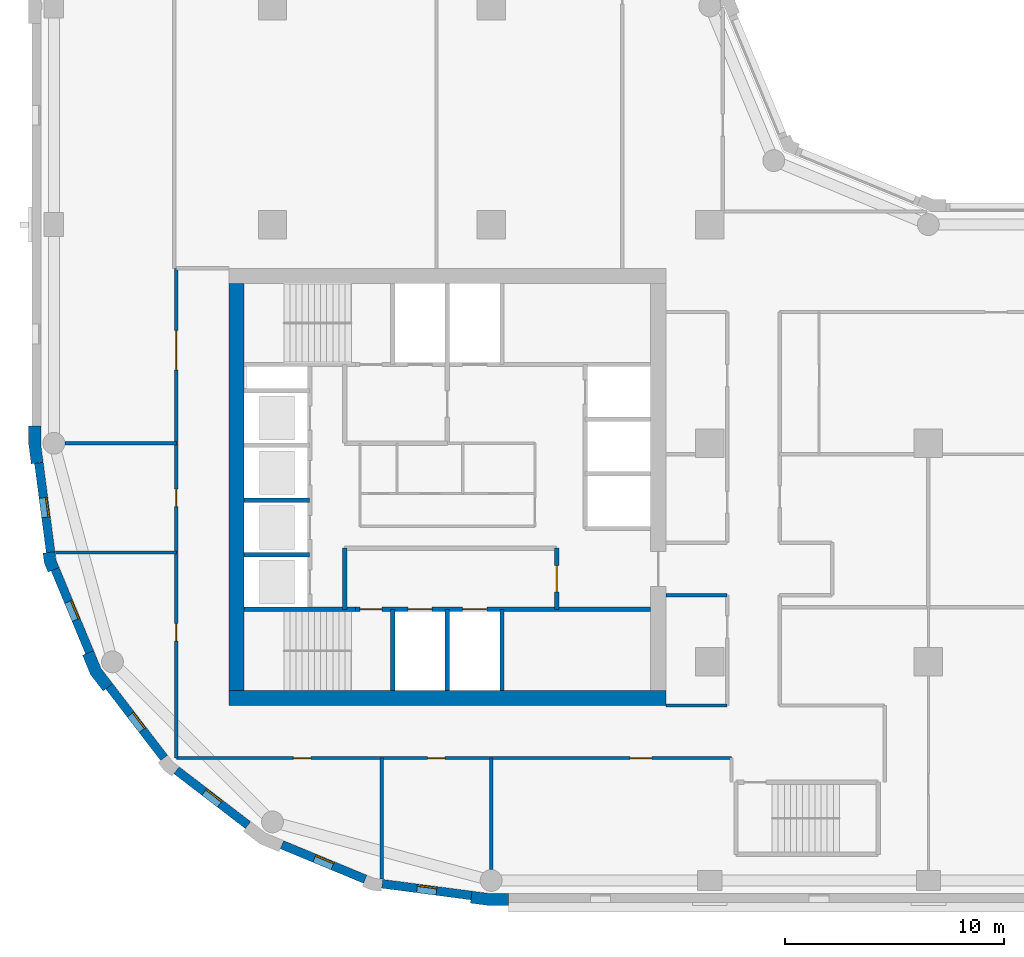
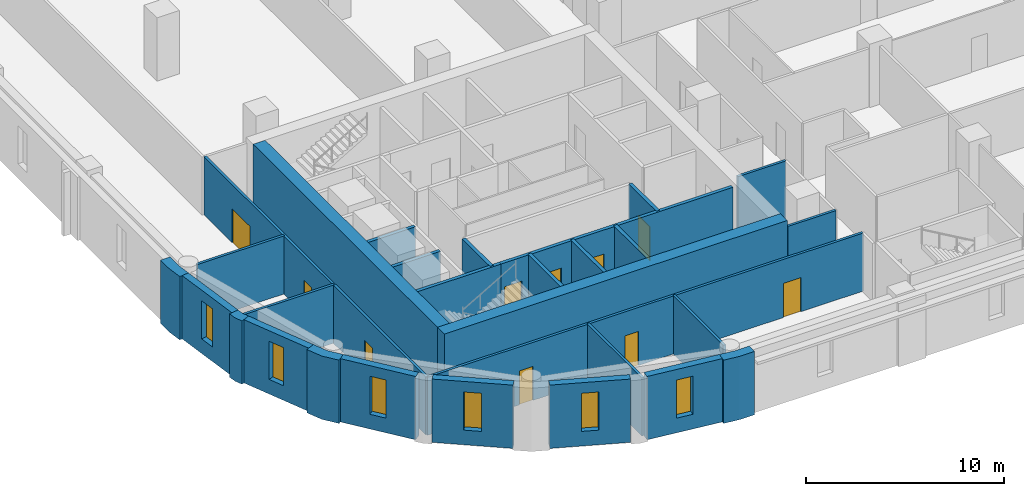
# One storey, part 2 of 9: 29 walls, 10 doors, 6 windows, 16 openings.
"""IFC4 building model written with IfcOpenShell, lengths in metres."""

from ifc_helpers import new_model, si_unit, direction, frame, frame_2d, origin, place, context, subcontext, project, spatial, polyline, rectangle, outline, extrude, material, layer, layer_set, type_object, element, fill, save


model = new_model("IFC4")

# Units and contexts
model_context = context("Model", 3, precision=1e-05, world=origin(), true_north=direction((0.0, 1.0)))
body_context = subcontext(model_context, "Body", "Model", "MODEL_VIEW")
ifc_project = project(units=[si_unit("LENGTHUNIT", "METRE"), si_unit("AREAUNIT", "SQUARE_METRE"), si_unit("VOLUMEUNIT", "CUBIC_METRE"), si_unit("PLANEANGLEUNIT", "RADIAN"), si_unit("MASSUNIT", "GRAM", prefix="KILO")], contexts=[model_context])

# Site, building, storey
site_placement = place(None, origin())
site = spatial("IfcSite", under=ifc_project, at=site_placement, CompositionType="ELEMENT")
building_placement = place(site_placement, origin())
building = spatial("IfcBuilding", under=site, at=building_placement, Name="Qaws Garden Tower", CompositionType="ELEMENT")
storey_placement = place(building_placement, frame((0.0, 0.0, 229.199951171875)))
storey = spatial("IfcBuildingStorey", under=building, at=storey_placement, Name="L56", CompositionType="ELEMENT", Elevation=229.199951171875)

# Wall, opening, window
ifc_material_1 = material(Name="Clay facing brick masonry", Category="masonry")
ifc_layer_1 = layer(ifc_material_1, 0.39990234375)
ifc_layer_set_1 = layer_set([ifc_layer_1], Name="Clay facing brick masonry")
wall_type_1 = type_object("IfcWallType", Name="Brick infill wall 400", PredefinedType="SOLIDWALL", material=ifc_layer_set_1)
wall_1_placement = place(storey_placement, frame((-0.688720703125, 19.102294921875, 0.0), z_axis=(0.0, 0.0, 1.0), x_axis=(0.130514280502, -0.991446429508, 0.0)))
wall_1 = element("IfcWall", 1, at=wall_1_placement, inside=storey, type_object=wall_type_1, Name="E-L56-infill-25", PredefinedType="SOLIDWALL", context=body_context, shape_type="SweptSolid", body=[
    extrude(rectangle(XDim=4.120849609375, YDim=0.39990234375, at=frame_2d((2.060546875, 0.0))), origin(), (0.0, 0.0, 1.0), 3.900146484375),
])
opening_1_placement = place(wall_1_placement, frame((1.610595703125, 0.0, 0.89990234375)))
opening_1 = element("IfcOpeningElement", 2, at=opening_1_placement, cuts=wall_1, Name="Opening W09", PredefinedType="OPENING", context=body_context, shape_type="SweptSolid", body=[
    extrude(rectangle(XDim=0.89990234375, YDim=2.35009765625, at=frame_2d((0.449951171875, 1.175048828125))), frame((0.0, 0.2099609375, 0.0), z_axis=(0.0, -1.0, 0.0), x_axis=(1.0, 0.0, 0.0)), (0.0, 0.0, 1.0), 0.419921875),
])
ifc_material_2 = material(Name="Aluminium framed window, clear glazing", Category="aluminium")
window_type = type_object("IfcWindowType", Name="Slit window 900 x 2350", PartitioningType="SINGLE_PANEL", PredefinedType="WINDOW", material=ifc_material_2)
window_1_placement = place(opening_1_placement, origin())
window_1 = element("IfcWindow", 3, at=window_1_placement, inside=storey, type_object=window_type, Name="E-L56-window-25-0", OverallHeight=2.35009765625, OverallWidth=0.89990234375, PartitioningType="SINGLE_PANEL", PredefinedType="WINDOW", context=body_context, shape_type="SweptSolid", body=[
    extrude(rectangle(XDim=0.89990234375, YDim=2.35009765625, at=frame_2d((0.449951171875, 1.175048828125))), frame((0.0, 0.159912109375, 0.0), z_axis=(0.0, -1.0, 0.0), x_axis=(1.0, 0.0, 0.0)), (0.0, 0.0, 1.0), 0.06005859375),
])
fill(opening_1, window_1)

wall_2_placement = place(storey_placement, frame((0.05712890625, 14.240234375, 0.0), z_axis=(0.0, 0.0, 1.0), x_axis=(0.382721546029, -0.923863744394, 0.0)))
wall_2 = element("IfcWall", 4, at=wall_2_placement, inside=storey, type_object=wall_type_1, Name="E-L56-infill-26", PredefinedType="SOLIDWALL", context=body_context, shape_type="SweptSolid", body=[
    extrude(rectangle(XDim=4.120849609375, YDim=0.39990234375, at=frame_2d((2.060546875, 0.0))), origin(), (0.0, 0.0, 1.0), 3.900146484375),
])
opening_2_placement = place(wall_2_placement, frame((1.610595703125, 0.0, 0.89990234375)))
opening_2 = element("IfcOpeningElement", 5, at=opening_2_placement, cuts=wall_2, Name="Opening W09", PredefinedType="OPENING", context=body_context, shape_type="SweptSolid", body=[
    extrude(rectangle(XDim=0.89990234375, YDim=2.35009765625, at=frame_2d((0.449951171875, 1.175048828125))), frame((0.0, 0.2099609375, 0.0), z_axis=(0.0, -1.0, 0.0), x_axis=(1.0, 0.0, 0.0)), (0.0, 0.0, 1.0), 0.419921875),
])
window_2_placement = place(opening_2_placement, origin())
window_2 = element("IfcWindow", 6, at=window_2_placement, inside=storey, type_object=window_type, Name="E-L56-window-26-0", OverallHeight=2.35009765625, OverallWidth=0.89990234375, PartitioningType="SINGLE_PANEL", PredefinedType="WINDOW", context=body_context, shape_type="SweptSolid", body=[
    extrude(rectangle(XDim=0.89990234375, YDim=2.35009765625, at=frame_2d((0.449951171875, 1.175048828125))), frame((0.0, 0.159912109375, 0.0), z_axis=(0.0, -1.0, 0.0), x_axis=(1.0, 0.0, 0.0)), (0.0, 0.0, 1.0), 0.06005859375),
])
fill(opening_2, window_2)

wall_3_placement = place(storey_placement, frame((2.53173828125, 8.87841796875, 0.0), z_axis=(0.0, 0.0, 1.0), x_axis=(0.608759824817, -0.793354571229, 0.0)))
wall_3 = element("IfcWall", 7, at=wall_3_placement, inside=storey, type_object=wall_type_1, Name="E-L56-infill-27", PredefinedType="SOLIDWALL", context=body_context, shape_type="SweptSolid", body=[
    extrude(rectangle(XDim=4.12109375, YDim=0.39990234375, at=frame_2d((2.060546875, 0.0))), origin(), (0.0, 0.0, 1.0), 3.900146484375),
])
opening_3_placement = place(wall_3_placement, frame((1.610595703125, 0.0, 0.89990234375)))
opening_3 = element("IfcOpeningElement", 8, at=opening_3_placement, cuts=wall_3, Name="Opening W09", PredefinedType="OPENING", context=body_context, shape_type="SweptSolid", body=[
    extrude(rectangle(XDim=0.89990234375, YDim=2.35009765625, at=frame_2d((0.449951171875, 1.175048828125))), frame((0.0, 0.2099609375, 0.0), z_axis=(0.0, -1.0, 0.0), x_axis=(1.0, 0.0, 0.0)), (0.0, 0.0, 1.0), 0.419921875),
])
window_3_placement = place(opening_3_placement, origin())
window_3 = element("IfcWindow", 9, at=window_3_placement, inside=storey, type_object=window_type, Name="E-L56-window-27-0", OverallHeight=2.35009765625, OverallWidth=0.89990234375, PartitioningType="SINGLE_PANEL", PredefinedType="WINDOW", context=body_context, shape_type="SweptSolid", body=[
    extrude(rectangle(XDim=0.89990234375, YDim=2.35009765625, at=frame_2d((0.449951171875, 1.175048828125))), frame((0.0, 0.159912109375, 0.0), z_axis=(0.0, -1.0, 0.0), x_axis=(1.0, 0.0, 0.0)), (0.0, 0.0, 1.0), 0.06005859375),
])
fill(opening_3, window_3)

wall_4_placement = place(storey_placement, frame((5.60888671875, 5.04052734375, 0.0), z_axis=(0.0, 0.0, 1.0), x_axis=(0.793354571229, -0.608759824817, 0.0)))
wall_4 = element("IfcWall", 10, at=wall_4_placement, inside=storey, type_object=wall_type_1, Name="E-L56-infill-28", PredefinedType="SOLIDWALL", context=body_context, shape_type="SweptSolid", body=[
    extrude(rectangle(XDim=4.12109375, YDim=0.39990234375, at=frame_2d((2.060546875, 0.0))), origin(), (0.0, 0.0, 1.0), 3.900146484375),
])
opening_4_placement = place(wall_4_placement, frame((1.610595703125, 0.0, 0.89990234375)))
opening_4 = element("IfcOpeningElement", 11, at=opening_4_placement, cuts=wall_4, Name="Opening W09", PredefinedType="OPENING", context=body_context, shape_type="SweptSolid", body=[
    extrude(rectangle(XDim=0.89990234375, YDim=2.35009765625, at=frame_2d((0.449951171875, 1.175048828125))), frame((0.0, 0.2099609375, 0.0), z_axis=(0.0, -1.0, 0.0), x_axis=(1.0, 0.0, 0.0)), (0.0, 0.0, 1.0), 0.419921875),
])
window_4_placement = place(opening_4_placement, origin())
window_4 = element("IfcWindow", 12, at=window_4_placement, inside=storey, type_object=window_type, Name="E-L56-window-28-0", OverallHeight=2.35009765625, OverallWidth=0.89990234375, PartitioningType="SINGLE_PANEL", PredefinedType="WINDOW", context=body_context, shape_type="SweptSolid", body=[
    extrude(rectangle(XDim=0.89990234375, YDim=2.35009765625, at=frame_2d((0.449951171875, 1.175048828125))), frame((0.0, 0.159912109375, 0.0), z_axis=(0.0, -1.0, 0.0), x_axis=(1.0, 0.0, 0.0)), (0.0, 0.0, 1.0), 0.06005859375),
])
fill(opening_4, window_4)

wall_5_placement = place(storey_placement, frame((10.43310546875, 1.63427734375, 0.0), z_axis=(0.0, 0.0, 1.0), x_axis=(0.923863744394, -0.382721546029, 0.0)))
wall_5 = element("IfcWall", 13, at=wall_5_placement, inside=storey, type_object=wall_type_1, Name="E-L56-infill-29", PredefinedType="SOLIDWALL", context=body_context, shape_type="SweptSolid", body=[
    extrude(rectangle(XDim=4.120849609375, YDim=0.39990234375, at=frame_2d((2.060546875, 0.0))), origin(), (0.0, 0.0, 1.0), 3.900146484375),
])
opening_5_placement = place(wall_5_placement, frame((1.610595703125, 0.0, 0.89990234375)))
opening_5 = element("IfcOpeningElement", 14, at=opening_5_placement, cuts=wall_5, Name="Opening W09", PredefinedType="OPENING", context=body_context, shape_type="SweptSolid", body=[
    extrude(rectangle(XDim=0.89990234375, YDim=2.35009765625, at=frame_2d((0.449951171875, 1.175048828125))), frame((0.0, 0.2099609375, 0.0), z_axis=(0.0, -1.0, 0.0), x_axis=(1.0, 0.0, 0.0)), (0.0, 0.0, 1.0), 0.419921875),
])
window_5_placement = place(opening_5_placement, origin())
window_5 = element("IfcWindow", 15, at=window_5_placement, inside=storey, type_object=window_type, Name="E-L56-window-29-0", OverallHeight=2.35009765625, OverallWidth=0.89990234375, PartitioningType="SINGLE_PANEL", PredefinedType="WINDOW", context=body_context, shape_type="SweptSolid", body=[
    extrude(rectangle(XDim=0.89990234375, YDim=2.35009765625, at=frame_2d((0.449951171875, 1.175048828125))), frame((0.0, 0.159912109375, 0.0), z_axis=(0.0, -1.0, 0.0), x_axis=(1.0, 0.0, 0.0)), (0.0, 0.0, 1.0), 0.06005859375),
])
fill(opening_5, window_5)

wall_6_placement = place(storey_placement, frame((15.0166015625, -0.15087890625, 0.0), z_axis=(0.0, 0.0, 1.0), x_axis=(0.991446429508, -0.130514280502, 0.0)))
wall_6 = element("IfcWall", 16, at=wall_6_placement, inside=storey, type_object=wall_type_1, Name="E-L56-infill-30", PredefinedType="SOLIDWALL", context=body_context, shape_type="SweptSolid", body=[
    extrude(rectangle(XDim=4.120849609375, YDim=0.39990234375, at=frame_2d((2.060546875, 0.0))), origin(), (0.0, 0.0, 1.0), 3.900146484375),
])
opening_6_placement = place(wall_6_placement, frame((1.610595703125, 0.0, 0.89990234375)))
opening_6 = element("IfcOpeningElement", 17, at=opening_6_placement, cuts=wall_6, Name="Opening W09", PredefinedType="OPENING", context=body_context, shape_type="SweptSolid", body=[
    extrude(rectangle(XDim=0.89990234375, YDim=2.35009765625, at=frame_2d((0.449951171875, 1.175048828125))), frame((0.0, 0.2099609375, 0.0), z_axis=(0.0, -1.0, 0.0), x_axis=(1.0, 0.0, 0.0)), (0.0, 0.0, 1.0), 0.419921875),
])
window_6_placement = place(opening_6_placement, origin())
window_6 = element("IfcWindow", 18, at=window_6_placement, inside=storey, type_object=window_type, Name="E-L56-window-30-0", OverallHeight=2.35009765625, OverallWidth=0.89990234375, PartitioningType="SINGLE_PANEL", PredefinedType="WINDOW", context=body_context, shape_type="SweptSolid", body=[
    extrude(rectangle(XDim=0.89990234375, YDim=2.35009765625, at=frame_2d((0.449951171875, 1.175048828125))), frame((0.0, 0.159912109375, 0.0), z_axis=(0.0, -1.0, 0.0), x_axis=(1.0, 0.0, 0.0)), (0.0, 0.0, 1.0), 0.06005859375),
])
fill(opening_6, window_6)

# Walls
ifc_material_3 = material(Name="Clay facing brick masonry", Category="masonry")
ifc_layer_2 = layer(ifc_material_3, 0.550048828125)
ifc_layer_set_2 = layer_set([ifc_layer_2], Name="Clay facing brick masonry")
wall_type_2 = type_object("IfcWallType", Name="Brick kink pier 550 x 600", PredefinedType="SOLIDWALL", material=ifc_layer_set_2)
placement = place(storey_placement, origin())
element("IfcWall", 19, at=placement, inside=storey, type_object=wall_type_2, Name="E-L56-pier-26", PredefinedType="SOLIDWALL", context=body_context, shape_type="SweptSolid", body=[
    extrude(outline(polyline([(-0.34912109375, 14.990478515625), (-0.497802734375, 14.970947265625), (-0.43896484375, 14.5234375), (-0.26611328125, 14.1064453125), (-0.127685546875, 14.163818359375), (0.241943359375, 14.31689453125), (0.096923828125, 14.6669921875), (0.04736328125, 15.042724609375), (-0.34912109375, 14.990478515625)])), origin(), (0.0, 0.0, 1.0), 3.900146484375),
])
ifc_material_4 = material(Name="Clay facing brick masonry", Category="masonry")
ifc_layer_3 = layer(ifc_material_4, 0.550048828125)
ifc_layer_set_3 = layer_set([ifc_layer_3], Name="Clay facing brick masonry")
wall_type_3 = type_object("IfcWallType", Name="Brick pier 550 x 1600", PredefinedType="SOLIDWALL", material=ifc_layer_set_3)
element("IfcWall", 20, at=placement, inside=storey, type_object=wall_type_3, Name="E-L56-pier-00", PredefinedType="SOLIDWALL", context=body_context, shape_type="SweptSolid", body=[
    extrude(outline(polyline([(19.076416015625, -0.886962890625), (19.056640625, -1.03564453125), (19.924560546875, -1.14990234375), (20.800048828125, -1.14990234375), (20.800048828125, -1.0), (20.800048828125, -0.60009765625), (19.960693359375, -0.60009765625), (19.12841796875, -0.490478515625), (19.076416015625, -0.886962890625)])), origin(), (0.0, 0.0, 1.0), 3.900146484375),
])
element("IfcWall", 21, at=placement, inside=storey, type_object=wall_type_3, Name="E-L56-pier-25", PredefinedType="SOLIDWALL", context=body_context, shape_type="SweptSolid", body=[
    extrude(outline(polyline([(-1.0, 20.800048828125), (-1.14990234375, 20.800048828125), (-1.14990234375, 19.924560546875), (-1.03564453125, 19.056640625), (-0.886962890625, 19.076416015625), (-0.490478515625, 19.12841796875), (-0.60009765625, 19.960693359375), (-0.60009765625, 20.800048828125), (-1.0, 20.800048828125)])), origin(), (0.0, 0.0, 1.0), 3.900146484375),
])
element("IfcWall", 22, at=placement, inside=storey, type_object=wall_type_3, Name="E-L56-pier-27", PredefinedType="SOLIDWALL", context=body_context, shape_type="SweptSolid", body=[
    extrude(outline(polyline([(1.449462890625, 10.3564453125), (1.310791015625, 10.299072265625), (1.675048828125, 9.419921875), (2.254150390625, 8.665283203125), (2.373046875, 8.756591796875), (2.6904296875, 9.0), (2.1552734375, 9.697509765625), (1.819091796875, 10.509521484375), (1.449462890625, 10.3564453125)])), origin(), (0.0, 0.0, 1.0), 3.900146484375),
])
ifc_material_5 = material(Name="Concrete C70", Category="concrete")
ifc_layer_4 = layer(ifc_material_5, 0.199951171875)
ifc_layer_set_4 = layer_set([ifc_layer_4], Name="Concrete C70")
wall_type_4 = type_object("IfcWallType", Name="Core shaft wall 200 C70", PredefinedType="SHEAR", material=ifc_layer_set_4)
wall_11_placement = place(storey_placement, frame((8.699951171875, 12.39990234375, 0.0), z_axis=(0.0, 0.0, 1.0), x_axis=(1.0, 0.0, 0.0)))
element("IfcWall", 23, at=wall_11_placement, inside=storey, type_object=wall_type_4, Name="Shaft wall", PredefinedType="SHEAR", context=body_context, shape_type="SweptSolid", body=[
    extrude(rectangle(XDim=5.10009765625, YDim=0.199951171875, at=frame_2d((2.550048828125, 0.0))), origin(), (0.0, 0.0, 1.0), 3.580078125),
])

# Wall, openings, doors
wall_12_placement = place(storey_placement, frame((13.800048828125, 12.39990234375, 0.0), z_axis=(0.0, 0.0, 1.0), x_axis=(1.0, 0.0, 0.0)))
wall_12 = element("IfcWall", 24, at=wall_12_placement, inside=storey, type_object=wall_type_4, Name="Shaft wall", PredefinedType="SHEAR", context=body_context, shape_type="SweptSolid", body=[
    extrude(rectangle(XDim=13.5, YDim=0.199951171875, at=frame_2d((6.75, 0.0))), origin(), (0.0, 0.0, 1.0), 3.580078125),
])
opening_7_placement = place(wall_12_placement, frame((2.39990234375, 0.0, 0.0)))
opening_7 = element("IfcOpeningElement", 25, at=opening_7_placement, cuts=wall_12, Name="Opening LD06", PredefinedType="OPENING", context=body_context, shape_type="SweptSolid", body=[
    extrude(rectangle(XDim=1.10009765625, YDim=2.10009765625, at=frame_2d((0.550048828125, 1.050048828125))), frame((0.0, 0.10986328125, 0.0), z_axis=(0.0, -1.0, 0.0), x_axis=(1.0, 0.0, 0.0)), (0.0, 0.0, 1.0), 0.219970703125),
])
opening_8_placement = place(wall_12_placement, frame((4.89990234375, 0.0, 0.0)))
opening_8 = element("IfcOpeningElement", 26, at=opening_8_placement, cuts=wall_12, Name="Opening LD07", PredefinedType="OPENING", context=body_context, shape_type="SweptSolid", body=[
    extrude(rectangle(XDim=1.10009765625, YDim=2.10009765625, at=frame_2d((0.550048828125, 1.050048828125))), frame((0.0, 0.10986328125, 0.0), z_axis=(0.0, -1.0, 0.0), x_axis=(1.0, 0.0, 0.0)), (0.0, 0.0, 1.0), 0.219970703125),
])
opening_9_placement = place(wall_12_placement, frame((0.199951171875, 0.0, 0.0)))
opening_9 = element("IfcOpeningElement", 27, at=opening_9_placement, cuts=wall_12, Name="Opening SD10", PredefinedType="OPENING", context=body_context, shape_type="SweptSolid", body=[
    extrude(rectangle(XDim=1.0, YDim=2.10009765625, at=frame_2d((0.5, 1.050048828125))), frame((0.0, 0.10986328125, 0.0), z_axis=(0.0, -1.0, 0.0), x_axis=(1.0, 0.0, 0.0)), (0.0, 0.0, 1.0), 0.219970703125),
])
ifc_material_6 = material(Name="Steel S235", Category="steel")
door_type_1 = type_object("IfcDoorType", Name="Landing door 1100x2100", OperationType="DOUBLE_DOOR_SLIDING", PredefinedType="DOOR", material=ifc_material_6)
door_1_placement = place(opening_7_placement, origin())
door_1 = element("IfcDoor", 28, at=door_1_placement, inside=storey, type_object=door_type_1, Name="Lift FF1 landing door", OperationType="DOUBLE_DOOR_SLIDING", OverallHeight=2.10009765625, OverallWidth=1.10009765625, PredefinedType="DOOR", context=body_context, shape_type="SweptSolid", body=[
    extrude(rectangle(XDim=1.10009765625, YDim=2.10009765625, at=frame_2d((0.550048828125, 1.050048828125))), frame((0.0, 0.02490234375, 0.0), z_axis=(0.0, -1.0, 0.0), x_axis=(1.0, 0.0, 0.0)), (0.0, 0.0, 1.0), 0.050048828125),
])
fill(opening_7, door_1)
door_2_placement = place(opening_8_placement, origin())
door_2 = element("IfcDoor", 29, at=door_2_placement, inside=storey, type_object=door_type_1, Name="Lift FF2 landing door", OperationType="DOUBLE_DOOR_SLIDING", OverallHeight=2.10009765625, OverallWidth=1.10009765625, PredefinedType="DOOR", context=body_context, shape_type="SweptSolid", body=[
    extrude(rectangle(XDim=1.10009765625, YDim=2.10009765625, at=frame_2d((0.550048828125, 1.050048828125))), frame((0.0, 0.02490234375, 0.0), z_axis=(0.0, -1.0, 0.0), x_axis=(1.0, 0.0, 0.0)), (0.0, 0.0, 1.0), 0.050048828125),
])
fill(opening_8, door_2)
ifc_material_7 = material(Name="Steel S235", Category="steel")
door_type_2 = type_object("IfcDoorType", Name="Stair door 1000x2100", OperationType="SINGLE_SWING_RIGHT", PredefinedType="DOOR", material=ifc_material_7)
door_3_placement = place(opening_9_placement, frame((1.0, 0.0, 0.0), z_axis=(0.0, 0.0, 1.0), x_axis=(-1.0, 0.0, 0.0)))
door_3 = element("IfcDoor", 30, at=door_3_placement, inside=storey, type_object=door_type_2, Name="Stair 1 door", OperationType="SINGLE_SWING_LEFT", OverallHeight=2.10009765625, OverallWidth=1.0, PredefinedType="DOOR", context=body_context, shape_type="SweptSolid", body=[
    extrude(rectangle(XDim=1.0, YDim=2.10009765625, at=frame_2d((0.5, 1.050048828125))), frame((0.0, 0.02490234375, 0.0), z_axis=(0.0, -1.0, 0.0), x_axis=(1.0, 0.0, 0.0)), (0.0, 0.0, 1.0), 0.050048828125),
])
fill(opening_9, door_3)

# Walls
for number, where, z_axis, x_axis, name in (
    (31, (8.699951171875, 14.89990234375, 0.0), (0.0, 0.0, 1.0), (1.0, 0.0, 0.0), "Shaft wall"),
    (32, (8.699951171875, 17.39990234375, 0.0), (0.0, 0.0, 1.0), (1.0, 0.0, 0.0), "Shaft wall"),
):
    element("IfcWall", number, at=place(storey_placement, frame(where, z_axis=z_axis, x_axis=x_axis)), inside=storey, type_object=wall_type_4, Name=name, PredefinedType="SHEAR", context=body_context, shape_type="SweptSolid", body=[
        extrude(rectangle(XDim=3.0, YDim=0.199951171875, at=frame_2d((1.5, 0.0))), origin(), (0.0, 0.0, 1.0), 3.580078125),
    ])
wall_13_placement = place(storey_placement, frame((13.300048828125, 12.39990234375, 0.0), z_axis=(0.0, 0.0, 1.0), x_axis=(0.0, 1.0, 0.0)))
element("IfcWall", 33, at=wall_13_placement, inside=storey, type_object=wall_type_4, Name="Shaft wall", PredefinedType="SHEAR", context=body_context, shape_type="SweptSolid", body=[
    extrude(rectangle(XDim=2.800048828125, YDim=0.199951171875, at=frame_2d((1.39990234375, 0.0))), origin(), (0.0, 0.0, 1.0), 3.580078125),
])
for number, where, z_axis, x_axis, name in (
    (34, (15.5, 8.699951171875, 0.0), (0.0, 0.0, 1.0), (0.0, 1.0, 0.0), "Shaft wall"),
    (35, (18.0, 8.699951171875, 0.0), (0.0, 0.0, 1.0), (0.0, 1.0, 0.0), "Shaft wall"),
    (36, (20.5, 8.699951171875, 0.0), (0.0, 0.0, 1.0), (0.0, 1.0, 0.0), "Shaft wall"),
):
    element("IfcWall", number, at=place(storey_placement, frame(where, z_axis=z_axis, x_axis=x_axis)), inside=storey, type_object=wall_type_4, Name=name, PredefinedType="SHEAR", context=body_context, shape_type="SweptSolid", body=[
        extrude(rectangle(XDim=3.699951171875, YDim=0.199951171875, at=frame_2d((1.85009765625, 0.0))), origin(), (0.0, 0.0, 1.0), 3.580078125),
    ])

# Wall, opening, door
wall_14_placement = place(storey_placement, frame((23.0, 12.39990234375, 0.0), z_axis=(0.0, 0.0, 1.0), x_axis=(0.0, 1.0, 0.0)))
wall_14 = element("IfcWall", 37, at=wall_14_placement, inside=storey, type_object=wall_type_4, Name="Shaft wall", PredefinedType="SHEAR", context=body_context, shape_type="SweptSolid", body=[
    extrude(rectangle(XDim=2.800048828125, YDim=0.199951171875, at=frame_2d((1.39990234375, 0.0))), origin(), (0.0, 0.0, 1.0), 3.580078125),
])
opening_10_placement = place(wall_14_placement, frame((0.800048828125, 0.0, 0.0)))
opening_10 = element("IfcOpeningElement", 38, at=opening_10_placement, cuts=wall_14, Name="Opening FD15", PredefinedType="OPENING", context=body_context, shape_type="SweptSolid", body=[
    extrude(rectangle(XDim=1.199951171875, YDim=2.10009765625, at=frame_2d((0.60009765625, 1.050048828125))), frame((0.0, 0.10986328125, 0.0), z_axis=(0.0, -1.0, 0.0), x_axis=(1.0, 0.0, 0.0)), (0.0, 0.0, 1.0), 0.219970703125),
])
ifc_material_8 = material(Name="Steel S235", Category="steel")
door_type_3 = type_object("IfcDoorType", Name="Lobby door 1200x2100", OperationType="DOUBLE_DOOR_SINGLE_SWING", PredefinedType="DOOR", material=ifc_material_8)
door_4_placement = place(opening_10_placement, origin())
door_4 = element("IfcDoor", 39, at=door_4_placement, inside=storey, type_object=door_type_3, Name="Fire-fighting lobby door", OperationType="DOUBLE_DOOR_SINGLE_SWING", OverallHeight=2.10009765625, OverallWidth=1.199951171875, PredefinedType="DOOR", context=body_context, shape_type="SweptSolid", body=[
    extrude(rectangle(XDim=1.199951171875, YDim=2.10009765625, at=frame_2d((0.60009765625, 1.050048828125))), frame((0.0, 0.02490234375, 0.0), z_axis=(0.0, -1.0, 0.0), x_axis=(1.0, 0.0, 0.0)), (0.0, 0.0, 1.0), 0.050048828125),
])
fill(opening_10, door_4)

# Walls
ifc_material_9 = material(Name="Concrete C70", Category="concrete")
ifc_layer_5 = layer(ifc_material_9, 0.699951171875)
ifc_layer_set_5 = layer_set([ifc_layer_5], Name="Concrete C70")
wall_type_5 = type_object("IfcWallType", Name="Core wall 700 C70", PredefinedType="SHEAR", material=ifc_layer_set_5)
wall_15_placement = place(storey_placement, frame((8.0, 8.35009765625, 0.0), z_axis=(0.0, 0.0, 1.0), x_axis=(1.0, 0.0, 0.0)))
element("IfcWall", 40, at=wall_15_placement, inside=storey, type_object=wall_type_5, Name="Core wall L56 south", PredefinedType="SHEAR", context=body_context, shape_type="SweptSolid", body=[
    extrude(rectangle(XDim=20.0, YDim=0.699951171875, at=frame_2d((10.0, 0.0))), origin(), (0.0, 0.0, 1.0), 3.900146484375),
])
wall_16_placement = place(storey_placement, frame((8.35009765625, 27.300048828125, 0.0), z_axis=(0.0, 0.0, 1.0), x_axis=(0.0, -1.0, 0.0)))
element("IfcWall", 41, at=wall_16_placement, inside=storey, type_object=wall_type_5, Name="Core wall L56 west", PredefinedType="SHEAR", context=body_context, shape_type="SweptSolid", body=[
    extrude(rectangle(XDim=18.60009765625, YDim=0.699951171875, at=frame_2d((9.300048828125, 0.0))), origin(), (0.0, 0.0, 1.0), 3.900146484375),
])

# Wall, openings, doors
ifc_material_10 = material(Name="Gypsum board partition")
ifc_layer_6 = layer(ifc_material_10, 0.14990234375)
ifc_layer_set_6 = layer_set([ifc_layer_6], Name="Gypsum board partition")
wall_type_6 = type_object("IfcWallType", Name="PARTITION 150 EI 60", PredefinedType="PARTITIONING", material=ifc_layer_set_6)
wall_17_placement = place(storey_placement, frame((5.60009765625, 5.60009765625, 0.0), z_axis=(0.0, 0.0, 1.0), x_axis=(0.0, 1.0, 0.0)))
wall_17 = element("IfcWall", 42, at=wall_17_placement, inside=storey, type_object=wall_type_6, Name="O-L56-wall-010", PredefinedType="PARTITIONING", context=body_context, shape_type="SweptSolid", body=[
    extrude(rectangle(XDim=22.39990234375, YDim=0.14990234375, at=frame_2d((11.199951171875, 0.0))), origin(), (0.0, 0.0, 1.0), 3.580078125),
])
opening_11_placement = place(wall_17_placement, frame((5.35009765625, 0.0, 0.0)))
opening_11 = element("IfcOpeningElement", 43, at=opening_11_placement, cuts=wall_17, Name="Opening B901", PredefinedType="OPENING", context=body_context, shape_type="SweptSolid", body=[
    extrude(rectangle(XDim=0.800048828125, YDim=2.10009765625, at=frame_2d((0.39990234375, 1.050048828125))), frame((0.0, 0.0849609375, 0.0), z_axis=(0.0, -1.0, 0.0), x_axis=(1.0, 0.0, 0.0)), (0.0, 0.0, 1.0), 0.169921875),
])
opening_12_placement = place(wall_17_placement, frame((11.5, 0.0, 0.0)))
opening_12 = element("IfcOpeningElement", 44, at=opening_12_placement, cuts=wall_17, Name="Opening B902", PredefinedType="OPENING", context=body_context, shape_type="SweptSolid", body=[
    extrude(rectangle(XDim=0.800048828125, YDim=2.10009765625, at=frame_2d((0.39990234375, 1.050048828125))), frame((0.0, 0.0849609375, 0.0), z_axis=(0.0, -1.0, 0.0), x_axis=(1.0, 0.0, 0.0)), (0.0, 0.0, 1.0), 0.169921875),
])
opening_13_placement = place(wall_17_placement, frame((17.75, 0.0, 0.0)))
opening_13 = element("IfcOpeningElement", 45, at=opening_13_placement, cuts=wall_17, Name="Opening B907", PredefinedType="OPENING", context=body_context, shape_type="SweptSolid", body=[
    extrude(rectangle(XDim=1.800048828125, YDim=2.10009765625, at=frame_2d((0.89990234375, 1.050048828125))), frame((0.0, 0.0849609375, 0.0), z_axis=(0.0, -1.0, 0.0), x_axis=(1.0, 0.0, 0.0)), (0.0, 0.0, 1.0), 0.169921875),
])
ifc_material_11 = material(Name="Timber door leaf", Category="wood")
door_type_4 = type_object("IfcDoorType", Name="DOUBLE DOOR 1800 X 2100", OperationType="DOUBLE_DOOR_SINGLE_SWING", PredefinedType="DOOR", material=ifc_material_11)
door_5_placement = place(opening_13_placement, origin())
door_5 = element("IfcDoor", 46, at=door_5_placement, inside=storey, type_object=door_type_4, Name="O-L56-door-007", OperationType="DOUBLE_DOOR_SINGLE_SWING", OverallHeight=2.10009765625, OverallWidth=1.800048828125, PredefinedType="DOOR", context=body_context, shape_type="SweptSolid", body=[
    extrude(rectangle(XDim=1.800048828125, YDim=2.10009765625, at=frame_2d((0.89990234375, 1.050048828125))), frame((0.0, 0.02490234375, 0.0), z_axis=(0.0, -1.0, 0.0), x_axis=(1.0, 0.0, 0.0)), (0.0, 0.0, 1.0), 0.050048828125),
])
fill(opening_13, door_5)
ifc_material_12 = material(Name="Timber door leaf", Category="wood")
door_type_5 = type_object("IfcDoorType", Name="STORE DOOR 800 X 2100", OperationType="SINGLE_SWING_LEFT", PredefinedType="DOOR", material=ifc_material_12)
door_6_placement = place(opening_11_placement, origin())
door_6 = element("IfcDoor", 47, at=door_6_placement, inside=storey, type_object=door_type_5, Name="O-L56-door-001", OperationType="SINGLE_SWING_RIGHT", OverallHeight=2.10009765625, OverallWidth=0.800048828125, PredefinedType="DOOR", context=body_context, shape_type="SweptSolid", body=[
    extrude(rectangle(XDim=0.800048828125, YDim=2.10009765625, at=frame_2d((0.39990234375, 1.050048828125))), frame((0.0, 0.02490234375, 0.0), z_axis=(0.0, -1.0, 0.0), x_axis=(1.0, 0.0, 0.0)), (0.0, 0.0, 1.0), 0.050048828125),
])
fill(opening_11, door_6)
door_7_placement = place(opening_12_placement, origin())
door_7 = element("IfcDoor", 48, at=door_7_placement, inside=storey, type_object=door_type_5, Name="O-L56-door-002", OperationType="SINGLE_SWING_RIGHT", OverallHeight=2.10009765625, OverallWidth=0.800048828125, PredefinedType="DOOR", context=body_context, shape_type="SweptSolid", body=[
    extrude(rectangle(XDim=0.800048828125, YDim=2.10009765625, at=frame_2d((0.39990234375, 1.050048828125))), frame((0.0, 0.02490234375, 0.0), z_axis=(0.0, -1.0, 0.0), x_axis=(1.0, 0.0, 0.0)), (0.0, 0.0, 1.0), 0.050048828125),
])
fill(opening_12, door_7)

# Walls
wall_18_placement = place(storey_placement, frame((15.0, 0.06298828125, 0.0), z_axis=(0.0, 0.0, 1.0), x_axis=(0.0, 1.0, 0.0)))
element("IfcWall", 49, at=wall_18_placement, inside=storey, type_object=wall_type_6, Name="O-L56-wall-013", PredefinedType="PARTITIONING", context=body_context, shape_type="SweptSolid", body=[
    extrude(rectangle(XDim=5.537109375, YDim=0.14990234375, at=frame_2d((2.7685546875, 0.0))), origin(), (0.0, 0.0, 1.0), 3.580078125),
])
wall_19_placement = place(storey_placement, frame((20.0, 0.5, 0.0), z_axis=(0.0, 0.0, 1.0), x_axis=(0.0, 1.0, 0.0)))
element("IfcWall", 50, at=wall_19_placement, inside=storey, type_object=wall_type_6, Name="O-L56-wall-016", PredefinedType="PARTITIONING", context=body_context, shape_type="SweptSolid", body=[
    extrude(rectangle(XDim=5.10009765625, YDim=0.14990234375, at=frame_2d((2.550048828125, 0.0))), origin(), (0.0, 0.0, 1.0), 3.580078125),
])

# Wall, openings, doors
wall_20_placement = place(storey_placement, frame((5.60009765625, 5.60009765625, 0.0), z_axis=(0.0, 0.0, 1.0), x_axis=(1.0, 0.0, 0.0)))
wall_20 = element("IfcWall", 51, at=wall_20_placement, inside=storey, type_object=wall_type_6, Name="O-L56-wall-030", PredefinedType="PARTITIONING", context=body_context, shape_type="SweptSolid", body=[
    extrude(rectangle(XDim=25.39990234375, YDim=0.14990234375, at=frame_2d((12.699951171875, 0.0))), origin(), (0.0, 0.0, 1.0), 3.580078125),
])
opening_14_placement = place(wall_20_placement, frame((20.75, 0.0, 0.0)))
opening_14 = element("IfcOpeningElement", 52, at=opening_14_placement, cuts=wall_20, Name="Opening B903", PredefinedType="OPENING", context=body_context, shape_type="SweptSolid", body=[
    extrude(rectangle(XDim=1.0, YDim=2.10009765625, at=frame_2d((0.5, 1.050048828125))), frame((0.0, 0.0849609375, 0.0), z_axis=(0.0, -1.0, 0.0), x_axis=(1.0, 0.0, 0.0)), (0.0, 0.0, 1.0), 0.169921875),
])
opening_15_placement = place(wall_20_placement, frame((5.35009765625, 0.0, 0.0)))
opening_15 = element("IfcOpeningElement", 53, at=opening_15_placement, cuts=wall_20, Name="Opening B909", PredefinedType="OPENING", context=body_context, shape_type="SweptSolid", body=[
    extrude(rectangle(XDim=0.800048828125, YDim=2.10009765625, at=frame_2d((0.39990234375, 1.050048828125))), frame((0.0, 0.0849609375, 0.0), z_axis=(0.0, -1.0, 0.0), x_axis=(1.0, 0.0, 0.0)), (0.0, 0.0, 1.0), 0.169921875),
])
opening_16_placement = place(wall_20_placement, frame((11.5, 0.0, 0.0)))
opening_16 = element("IfcOpeningElement", 54, at=opening_16_placement, cuts=wall_20, Name="Opening B913", PredefinedType="OPENING", context=body_context, shape_type="SweptSolid", body=[
    extrude(rectangle(XDim=0.800048828125, YDim=2.10009765625, at=frame_2d((0.39990234375, 1.050048828125))), frame((0.0, 0.0849609375, 0.0), z_axis=(0.0, -1.0, 0.0), x_axis=(1.0, 0.0, 0.0)), (0.0, 0.0, 1.0), 0.169921875),
])
door_8_placement = place(opening_15_placement, frame((0.800048828125, 0.0, 0.0), z_axis=(0.0, 0.0, 1.0), x_axis=(-1.0, 0.0, 0.0)))
door_8 = element("IfcDoor", 55, at=door_8_placement, inside=storey, type_object=door_type_5, Name="O-L56-door-009", OperationType="SINGLE_SWING_LEFT", OverallHeight=2.10009765625, OverallWidth=0.800048828125, PredefinedType="DOOR", context=body_context, shape_type="SweptSolid", body=[
    extrude(rectangle(XDim=0.800048828125, YDim=2.10009765625, at=frame_2d((0.39990234375, 1.050048828125))), frame((0.0, 0.02490234375, 0.0), z_axis=(0.0, -1.0, 0.0), x_axis=(1.0, 0.0, 0.0)), (0.0, 0.0, 1.0), 0.050048828125),
])
fill(opening_15, door_8)
door_9_placement = place(opening_16_placement, frame((0.800048828125, 0.0, 0.0), z_axis=(0.0, 0.0, 1.0), x_axis=(-1.0, 0.0, 0.0)))
door_9 = element("IfcDoor", 56, at=door_9_placement, inside=storey, type_object=door_type_5, Name="O-L56-door-013", OperationType="SINGLE_SWING_LEFT", OverallHeight=2.10009765625, OverallWidth=0.800048828125, PredefinedType="DOOR", context=body_context, shape_type="SweptSolid", body=[
    extrude(rectangle(XDim=0.800048828125, YDim=2.10009765625, at=frame_2d((0.39990234375, 1.050048828125))), frame((0.0, 0.02490234375, 0.0), z_axis=(0.0, -1.0, 0.0), x_axis=(1.0, 0.0, 0.0)), (0.0, 0.0, 1.0), 0.050048828125),
])
fill(opening_16, door_9)
ifc_material_13 = material(Name="Timber door leaf", Category="wood")
door_type_6 = type_object("IfcDoorType", Name="TENANCY ENTRANCE DOOR 1000 X 2100", OperationType="SINGLE_SWING_LEFT", PredefinedType="DOOR", material=ifc_material_13)
door_10_placement = place(opening_14_placement, frame((1.0, 0.0, 0.0), z_axis=(0.0, 0.0, 1.0), x_axis=(-1.0, 0.0, 0.0)))
door_10 = element("IfcDoor", 57, at=door_10_placement, inside=storey, type_object=door_type_6, Name="O-L56-door-003", OperationType="SINGLE_SWING_LEFT", OverallHeight=2.10009765625, OverallWidth=1.0, PredefinedType="DOOR", context=body_context, shape_type="SweptSolid", body=[
    extrude(rectangle(XDim=1.0, YDim=2.10009765625, at=frame_2d((0.5, 1.050048828125))), frame((0.0, 0.02490234375, 0.0), z_axis=(0.0, -1.0, 0.0), x_axis=(1.0, 0.0, 0.0)), (0.0, 0.0, 1.0), 0.050048828125),
])
fill(opening_14, door_10)

# Walls
for number, where, z_axis, x_axis, name in (
    (58, (28.0, 8.0, 0.0), (0.0, 0.0, 1.0), (1.0, 0.0, 0.0), "O-L56-wall-031"),
    (59, (28.0, 13.050048828125, 0.0), (0.0, 0.0, 1.0), (1.0, 0.0, 0.0), "O-L56-wall-034"),
):
    element("IfcWall", number, at=place(storey_placement, frame(where, z_axis=z_axis, x_axis=x_axis)), inside=storey, type_object=wall_type_6, Name=name, PredefinedType="PARTITIONING", context=body_context, shape_type="SweptSolid", body=[
        extrude(rectangle(XDim=2.799072265625, YDim=0.14990234375, at=frame_2d((1.3994140625, 0.0))), origin(), (0.0, 0.0, 1.0), 3.580078125),
    ])
wall_21_placement = place(storey_placement, frame((0.06298828125, 15.0, 0.0), z_axis=(0.0, 0.0, 1.0), x_axis=(1.0, 0.0, 0.0)))
element("IfcWall", 60, at=wall_21_placement, inside=storey, type_object=wall_type_6, Name="O-L56-wall-036", PredefinedType="PARTITIONING", context=body_context, shape_type="SweptSolid", body=[
    extrude(rectangle(XDim=5.537109375, YDim=0.14990234375, at=frame_2d((2.7685546875, 0.0))), origin(), (0.0, 0.0, 1.0), 3.580078125),
])
wall_22_placement = place(storey_placement, frame((0.5, 20.0, 0.0), z_axis=(0.0, 0.0, 1.0), x_axis=(1.0, 0.0, 0.0)))
element("IfcWall", 61, at=wall_22_placement, inside=storey, type_object=wall_type_6, Name="O-L56-wall-041", PredefinedType="PARTITIONING", context=body_context, shape_type="SweptSolid", body=[
    extrude(rectangle(XDim=5.10009765625, YDim=0.14990234375, at=frame_2d((2.550048828125, 0.0))), origin(), (0.0, 0.0, 1.0), 3.580078125),
])

save(model, "model.ifc")
